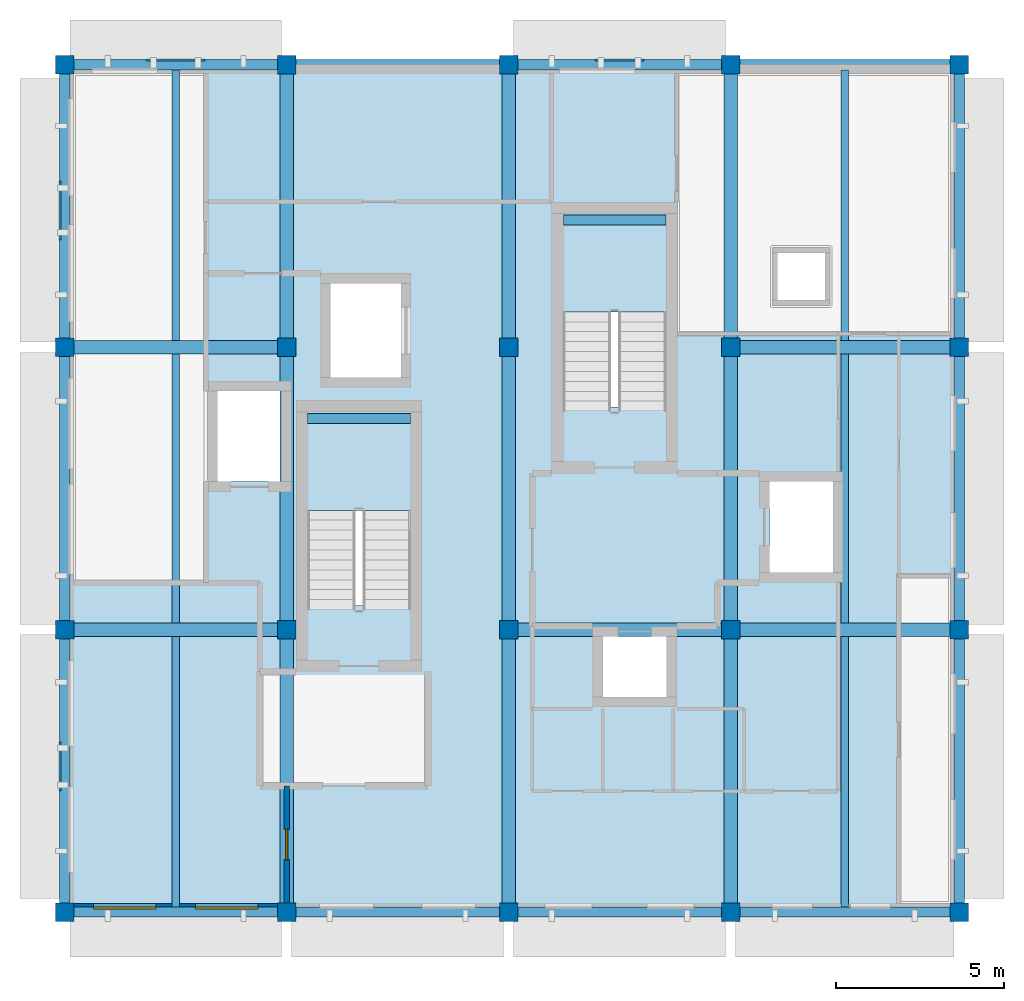
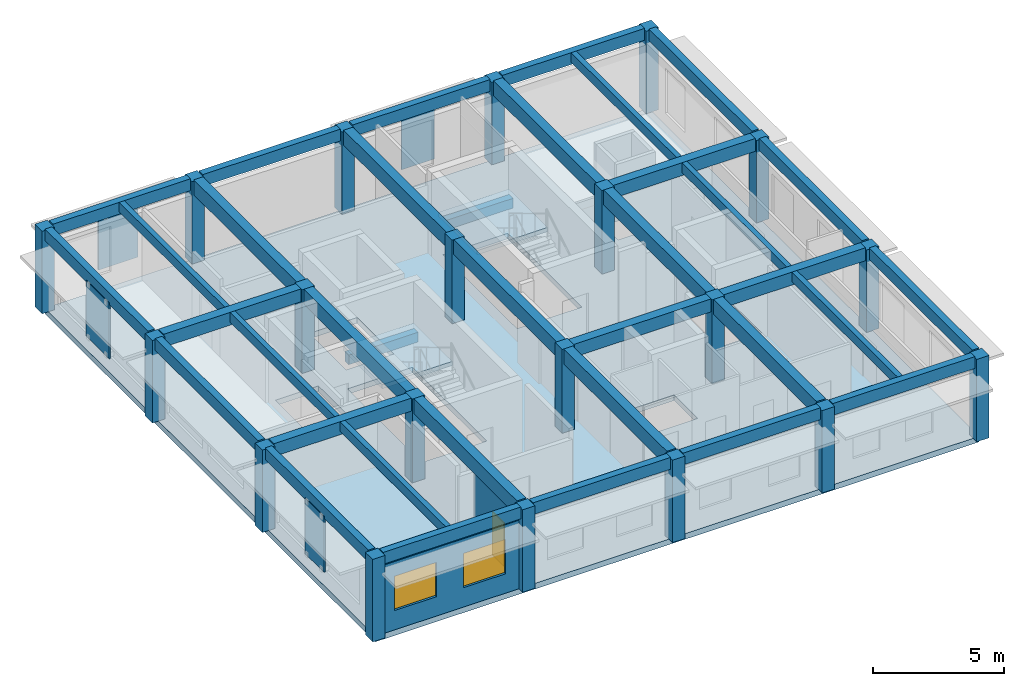
# One storey, part 1 of 7: 36 beams, 20 columns, 4 plates, 3 slabs, 2 walls, 2 windows, 1 door, 3 openings, 2 elements without a shape of their own.
"""IFC4 building model written with IfcOpenShell, lengths in metres."""

from ifc_helpers import new_model, si_unit, direction, frame, frame_2d, origin, origin_2d, place, context, subcontext, project, spatial, polyline, rectangle, outline, extrude, material, layer, layer_set, material_profile, profile_set, type_object, element, fill, aggregate, save


model = new_model("IFC4")

# Units and contexts
model_context = context("Model", 3, precision=1e-05, world=origin(), true_north=direction((0.0, 1.0)))
body_context = subcontext(model_context, "Body", "Model", "MODEL_VIEW")
ifc_project = project(units=[si_unit("LENGTHUNIT", "METRE"), si_unit("AREAUNIT", "SQUARE_METRE"), si_unit("VOLUMEUNIT", "CUBIC_METRE"), si_unit("PLANEANGLEUNIT", "RADIAN"), si_unit("MASSUNIT", "GRAM", prefix="KILO")], contexts=[model_context])

# Site, building, storey
site_placement = place(None, origin())
site = spatial("IfcSite", under=ifc_project, at=site_placement, CompositionType="ELEMENT")
building_placement = place(site_placement, origin())
building = spatial("IfcBuilding", under=site, at=building_placement, Name="Kolvaren Faculty of Natural Sciences", CompositionType="ELEMENT")
storey_placement = place(building_placement, frame((0.0, 0.0, 40.5)))
storey = spatial("IfcBuildingStorey", under=building, at=storey_placement, Name="L09", CompositionType="ELEMENT", Elevation=40.5)

# Columns
ifc_material_1 = material(Name="Concrete C35/45", Category="concrete")
ifc_material_profile_1 = material_profile(ifc_material_1, rectangle(XDim=0.550048828125, YDim=0.550048828125, at=origin_2d()), Name="RC COL 550x550")
ifc_profile_set_1 = profile_set([ifc_material_profile_1], Name="Concrete C35/45")
column_type = type_object("IfcColumnType", Name="UpperColumn_550x550", PredefinedType="COLUMN", material=ifc_profile_set_1)
for number, where, z_axis, x_axis, name in (
    (1, (145.39990234375, 59.0, 0.0), (0.0, 0.0, 1.0), (1.0, 0.0, 0.0), "L09 column UC-55 at 23/H"),
    (2, (145.39990234375, 67.39990234375, 0.0), (0.0, 0.0, 1.0), (1.0, 0.0, 0.0), "L09 column UC-55 at 23/J"),
    (3, (145.39990234375, 75.800048828125, 0.0), (0.0, 0.0, 1.0), (1.0, 0.0, 0.0), "L09 column UC-55 at 23/K"),
    (4, (145.39990234375, 84.199951171875, 0.0), (0.0, 0.0, 1.0), (1.0, 0.0, 0.0), "L09 column UC-55 at 23/L"),
    (5, (152.0, 59.0, 0.0), (0.0, 0.0, 1.0), (1.0, 0.0, 0.0), "L09 column UC-55 at 24/H"),
):
    element("IfcColumn", number, at=place(storey_placement, frame(where, z_axis=z_axis, x_axis=x_axis)), inside=storey, type_object=column_type, Name=name, PredefinedType="COLUMN", context=body_context, shape_type="SweptSolid", body=[
        extrude(rectangle(XDim=0.550048828125, YDim=0.550048828125, at=origin_2d()), origin(), (0.0, 0.0, 1.0), 3.840087890625),
    ])
for number, where, z_axis, x_axis, name in (
    (6, (152.0, 67.39990234375, 0.0), (0.0, 0.0, 1.0), (1.0, 0.0, 0.0), "L09 column UC-55 at 24/J"),
    (7, (152.0, 75.800048828125, 0.0), (0.0, 0.0, 1.0), (1.0, 0.0, 0.0), "L09 column UC-55 at 24/K"),
):
    element("IfcColumn", number, at=place(storey_placement, frame(where, z_axis=z_axis, x_axis=x_axis)), inside=storey, type_object=column_type, Name=name, PredefinedType="COLUMN", context=body_context, shape_type="SweptSolid", body=[
        extrude(rectangle(XDim=0.550048828125, YDim=0.550048828125, at=origin_2d()), origin(), (0.0, 0.0, 1.0), 3.89990234375),
    ])
for number, where, z_axis, x_axis, name in (
    (8, (152.0, 84.199951171875, 0.0), (0.0, 0.0, 1.0), (1.0, 0.0, 0.0), "L09 column UC-55 at 24/L"),
    (9, (158.60009765625, 59.0, 0.0), (0.0, 0.0, 1.0), (1.0, 0.0, 0.0), "L09 column UC-55 at 25/H"),
):
    element("IfcColumn", number, at=place(storey_placement, frame(where, z_axis=z_axis, x_axis=x_axis)), inside=storey, type_object=column_type, Name=name, PredefinedType="COLUMN", context=body_context, shape_type="SweptSolid", body=[
        extrude(rectangle(XDim=0.550048828125, YDim=0.550048828125, at=origin_2d()), origin(), (0.0, 0.0, 1.0), 3.840087890625),
    ])
for number, where, z_axis, x_axis, name in (
    (10, (158.60009765625, 67.39990234375, 0.0), (0.0, 0.0, 1.0), (1.0, 0.0, 0.0), "L09 column UC-55 at 25/J"),
    (11, (158.60009765625, 75.800048828125, 0.0), (0.0, 0.0, 1.0), (1.0, 0.0, 0.0), "L09 column UC-55 at 25/K"),
):
    element("IfcColumn", number, at=place(storey_placement, frame(where, z_axis=z_axis, x_axis=x_axis)), inside=storey, type_object=column_type, Name=name, PredefinedType="COLUMN", context=body_context, shape_type="SweptSolid", body=[
        extrude(rectangle(XDim=0.550048828125, YDim=0.550048828125, at=origin_2d()), origin(), (0.0, 0.0, 1.0), 3.89990234375),
    ])
for number, where, z_axis, x_axis, name in (
    (12, (158.60009765625, 84.199951171875, 0.0), (0.0, 0.0, 1.0), (1.0, 0.0, 0.0), "L09 column UC-55 at 25/L"),
    (13, (165.199951171875, 59.0, 0.0), (0.0, 0.0, 1.0), (1.0, 0.0, 0.0), "L09 column UC-55 at 26/H"),
):
    element("IfcColumn", number, at=place(storey_placement, frame(where, z_axis=z_axis, x_axis=x_axis)), inside=storey, type_object=column_type, Name=name, PredefinedType="COLUMN", context=body_context, shape_type="SweptSolid", body=[
        extrude(rectangle(XDim=0.550048828125, YDim=0.550048828125, at=origin_2d()), origin(), (0.0, 0.0, 1.0), 3.840087890625),
    ])
for number, where, z_axis, x_axis, name in (
    (14, (165.199951171875, 67.39990234375, 0.0), (0.0, 0.0, 1.0), (1.0, 0.0, 0.0), "L09 column UC-55 at 26/J"),
    (15, (165.199951171875, 75.800048828125, 0.0), (0.0, 0.0, 1.0), (1.0, 0.0, 0.0), "L09 column UC-55 at 26/K"),
):
    element("IfcColumn", number, at=place(storey_placement, frame(where, z_axis=z_axis, x_axis=x_axis)), inside=storey, type_object=column_type, Name=name, PredefinedType="COLUMN", context=body_context, shape_type="SweptSolid", body=[
        extrude(rectangle(XDim=0.550048828125, YDim=0.550048828125, at=origin_2d()), origin(), (0.0, 0.0, 1.0), 3.89990234375),
    ])
for number, where, z_axis, x_axis, name in (
    (16, (165.199951171875, 84.199951171875, 0.0), (0.0, 0.0, 1.0), (1.0, 0.0, 0.0), "L09 column UC-55 at 26/L"),
    (17, (172.0, 59.0, 0.0), (0.0, 0.0, 1.0), (1.0, 0.0, 0.0), "L09 column UC-55 at 27/H"),
    (18, (172.0, 67.39990234375, 0.0), (0.0, 0.0, 1.0), (1.0, 0.0, 0.0), "L09 column UC-55 at 27/J"),
    (19, (172.0, 75.800048828125, 0.0), (0.0, 0.0, 1.0), (1.0, 0.0, 0.0), "L09 column UC-55 at 27/K"),
    (20, (172.0, 84.199951171875, 0.0), (0.0, 0.0, 1.0), (1.0, 0.0, 0.0), "L09 column UC-55 at 27/L"),
):
    element("IfcColumn", number, at=place(storey_placement, frame(where, z_axis=z_axis, x_axis=x_axis)), inside=storey, type_object=column_type, Name=name, PredefinedType="COLUMN", context=body_context, shape_type="SweptSolid", body=[
        extrude(rectangle(XDim=0.550048828125, YDim=0.550048828125, at=origin_2d()), origin(), (0.0, 0.0, 1.0), 3.840087890625),
    ])

# Beams
ifc_material_2 = material(Name="Concrete C40/50", Category="concrete")
ifc_material_profile_2 = material_profile(ifc_material_2, rectangle(XDim=0.300048828125, YDim=0.449951171875, at=origin_2d()), Name="RC LNT 300x450")
ifc_profile_set_2 = profile_set([ifc_material_profile_2], Name="Concrete C40/50")
beam_type_1 = type_object("IfcBeamType", Name="CoreCouplingLintel_300x450", PredefinedType="LINTEL", material=ifc_profile_set_2)
beam_1_placement = place(storey_placement, frame((160.22509765625, 79.580078125, 1.52490234375), z_axis=(1.0, 0.0, 0.0), x_axis=(0.0, 1.0, 0.0)))
element("IfcBeam", 21, at=beam_1_placement, inside=storey, type_object=beam_type_1, Name="L09 ST-1 half-landing support lintel", PredefinedType="LINTEL", context=body_context, shape_type="SweptSolid", body=[
    extrude(rectangle(XDim=0.300048828125, YDim=0.449951171875, at=origin_2d()), origin(), (0.0, 0.0, 1.0), 3.0498046875),
])
beam_2_placement = place(storey_placement, frame((152.625, 73.679931640625, 1.52490234375), z_axis=(1.0, 0.0, 0.0), x_axis=(0.0, 1.0, 0.0)))
element("IfcBeam", 22, at=beam_2_placement, inside=storey, type_object=beam_type_1, Name="L09 ST-2 half-landing support lintel", PredefinedType="LINTEL", context=body_context, shape_type="SweptSolid", body=[
    extrude(rectangle(XDim=0.300048828125, YDim=0.449951171875, at=origin_2d()), origin(), (0.0, 0.0, 1.0), 3.050048828125),
])
ifc_material_profile_3 = material_profile(ifc_material_1, rectangle(XDim=0.39990234375, YDim=0.60009765625, at=origin_2d()), Name="RC BM 400x600")
ifc_profile_set_3 = profile_set([ifc_material_profile_3], Name="Concrete C35/45")
beam_type_2 = type_object("IfcBeamType", Name="GridBeam_400x600", PredefinedType="BEAM", material=ifc_profile_set_3)
for number, where, z_axis, x_axis, name in (
    (23, (145.675048828125, 67.39990234375, 3.60009765625), (1.0, 0.0, 0.0), (0.0, 1.0, 0.0), "L09 beam BM-60 on grid J"),
    (24, (158.875, 67.39990234375, 3.60009765625), (1.0, 0.0, 0.0), (0.0, 1.0, 0.0), "L09 beam BM-60 on grid J"),
):
    element("IfcBeam", number, at=place(storey_placement, frame(where, z_axis=z_axis, x_axis=x_axis)), inside=storey, type_object=beam_type_2, Name=name, PredefinedType="BEAM", context=body_context, shape_type="SweptSolid", body=[
        extrude(rectangle(XDim=0.39990234375, YDim=0.60009765625, at=origin_2d()), origin(), (0.0, 0.0, 1.0), 6.050048828125),
    ])
beam_3_placement = place(storey_placement, frame((165.47509765625, 67.39990234375, 3.60009765625), z_axis=(1.0, 0.0, 0.0), x_axis=(0.0, 1.0, 0.0)))
element("IfcBeam", 25, at=beam_3_placement, inside=storey, type_object=beam_type_2, Name="L09 beam BM-60 on grid J", PredefinedType="BEAM", context=body_context, shape_type="SweptSolid", body=[
    extrude(rectangle(XDim=0.39990234375, YDim=0.60009765625, at=origin_2d()), origin(), (0.0, 0.0, 1.0), 6.25),
])
beam_4_placement = place(storey_placement, frame((145.675048828125, 75.800048828125, 3.60009765625), z_axis=(1.0, 0.0, 0.0), x_axis=(0.0, 1.0, 0.0)))
element("IfcBeam", 26, at=beam_4_placement, inside=storey, type_object=beam_type_2, Name="L09 beam BM-60 on grid K", PredefinedType="BEAM", context=body_context, shape_type="SweptSolid", body=[
    extrude(rectangle(XDim=0.39990234375, YDim=0.60009765625, at=origin_2d()), origin(), (0.0, 0.0, 1.0), 6.050048828125),
])
beam_5_placement = place(storey_placement, frame((165.47509765625, 75.800048828125, 3.60009765625), z_axis=(1.0, 0.0, 0.0), x_axis=(0.0, 1.0, 0.0)))
element("IfcBeam", 27, at=beam_5_placement, inside=storey, type_object=beam_type_2, Name="L09 beam BM-60 on grid K", PredefinedType="BEAM", context=body_context, shape_type="SweptSolid", body=[
    extrude(rectangle(XDim=0.39990234375, YDim=0.60009765625, at=origin_2d()), origin(), (0.0, 0.0, 1.0), 6.25),
])
ifc_material_profile_4 = material_profile(ifc_material_1, rectangle(XDim=0.219970703125, YDim=0.449951171875, at=origin_2d()), Name="RC JST 220x450")
ifc_profile_set_4 = profile_set([ifc_material_profile_4], Name="Concrete C35/45")
beam_type_3 = type_object("IfcBeamType", Name="OfficeRibJoist_220x450", PredefinedType="JOIST", material=ifc_profile_set_4)
beam_6_placement = place(storey_placement, frame((148.699951171875, 59.14990234375, 3.675048828125), z_axis=(0.0, 1.0, 0.0), x_axis=(-1.0, 0.0, 0.0)))
element("IfcBeam", 28, at=beam_6_placement, inside=storey, type_object=beam_type_3, Name="L09 ribbed laboratory slab joist JS-45", PredefinedType="JOIST", context=body_context, shape_type="SweptSolid", body=[
    extrude(rectangle(XDim=0.219970703125, YDim=0.449951171875, at=origin_2d()), origin(), (0.0, 0.0, 1.0), 8.050048828125),
])
beam_7_placement = place(storey_placement, frame((148.699951171875, 67.60009765625, 3.675048828125), z_axis=(0.0, 1.0, 0.0), x_axis=(-1.0, 0.0, 0.0)))
element("IfcBeam", 29, at=beam_7_placement, inside=storey, type_object=beam_type_3, Name="L09 ribbed laboratory slab joist JS-45", PredefinedType="JOIST", context=body_context, shape_type="SweptSolid", body=[
    extrude(rectangle(XDim=0.219970703125, YDim=0.449951171875, at=origin_2d()), origin(), (0.0, 0.0, 1.0), 8.0),
])
for number, where, z_axis, x_axis, name in (
    (30, (148.699951171875, 76.0, 3.675048828125), (0.0, 1.0, 0.0), (-1.0, 0.0, 0.0), "L09 ribbed laboratory slab joist JS-45"),
    (31, (168.60009765625, 59.14990234375, 3.675048828125), (0.0, 1.0, 0.0), (-1.0, 0.0, 0.0), "L09 ribbed laboratory slab joist JS-45"),
):
    element("IfcBeam", number, at=place(storey_placement, frame(where, z_axis=z_axis, x_axis=x_axis)), inside=storey, type_object=beam_type_3, Name=name, PredefinedType="JOIST", context=body_context, shape_type="SweptSolid", body=[
        extrude(rectangle(XDim=0.219970703125, YDim=0.449951171875, at=origin_2d()), origin(), (0.0, 0.0, 1.0), 8.050048828125),
    ])
beam_8_placement = place(storey_placement, frame((168.60009765625, 67.60009765625, 3.675048828125), z_axis=(0.0, 1.0, 0.0), x_axis=(-1.0, 0.0, 0.0)))
element("IfcBeam", 32, at=beam_8_placement, inside=storey, type_object=beam_type_3, Name="L09 ribbed laboratory slab joist JS-45", PredefinedType="JOIST", context=body_context, shape_type="SweptSolid", body=[
    extrude(rectangle(XDim=0.219970703125, YDim=0.449951171875, at=origin_2d()), origin(), (0.0, 0.0, 1.0), 8.0),
])
beam_9_placement = place(storey_placement, frame((168.60009765625, 76.0, 3.675048828125), z_axis=(0.0, 1.0, 0.0), x_axis=(-1.0, 0.0, 0.0)))
element("IfcBeam", 33, at=beam_9_placement, inside=storey, type_object=beam_type_3, Name="L09 ribbed laboratory slab joist JS-45", PredefinedType="JOIST", context=body_context, shape_type="SweptSolid", body=[
    extrude(rectangle(XDim=0.219970703125, YDim=0.449951171875, at=origin_2d()), origin(), (0.0, 0.0, 1.0), 8.050048828125),
])
ifc_material_profile_5 = material_profile(ifc_material_1, rectangle(XDim=0.300048828125, YDim=0.550048828125, at=origin_2d()), Name="RC SP 300x550")
ifc_profile_set_5 = profile_set([ifc_material_profile_5], Name="Concrete C35/45")
beam_type_4 = type_object("IfcBeamType", Name="PerimeterSpandrel_300x550", PredefinedType="SPANDREL", material=ifc_profile_set_5)
for number, where, z_axis, x_axis, name in (
    (34, (145.675048828125, 59.0, 3.625), (1.0, 0.0, 0.0), (0.0, 1.0, 0.0), "L09 spandrel SP-55 on grid H"),
    (35, (152.27490234375, 59.0, 3.625), (1.0, 0.0, 0.0), (0.0, 1.0, 0.0), "L09 spandrel SP-55 on grid H"),
    (36, (158.875, 59.0, 3.625), (1.0, 0.0, 0.0), (0.0, 1.0, 0.0), "L09 spandrel SP-55 on grid H"),
):
    element("IfcBeam", number, at=place(storey_placement, frame(where, z_axis=z_axis, x_axis=x_axis)), inside=storey, type_object=beam_type_4, Name=name, PredefinedType="SPANDREL", context=body_context, shape_type="SweptSolid", body=[
        extrude(rectangle(XDim=0.300048828125, YDim=0.550048828125, at=origin_2d()), origin(), (0.0, 0.0, 1.0), 6.050048828125),
    ])
beam_10_placement = place(storey_placement, frame((165.47509765625, 59.0, 3.625), z_axis=(1.0, 0.0, 0.0), x_axis=(0.0, 1.0, 0.0)))
element("IfcBeam", 37, at=beam_10_placement, inside=storey, type_object=beam_type_4, Name="L09 spandrel SP-55 on grid H", PredefinedType="SPANDREL", context=body_context, shape_type="SweptSolid", body=[
    extrude(rectangle(XDim=0.300048828125, YDim=0.550048828125, at=origin_2d()), origin(), (0.0, 0.0, 1.0), 6.25),
])
for number, where, z_axis, x_axis, name in (
    (38, (145.675048828125, 84.199951171875, 3.625), (1.0, 0.0, 0.0), (0.0, 1.0, 0.0), "L09 spandrel SP-55 on grid L"),
    (39, (152.27490234375, 84.199951171875, 3.625), (1.0, 0.0, 0.0), (0.0, 1.0, 0.0), "L09 spandrel SP-55 on grid L"),
    (40, (158.875, 84.199951171875, 3.625), (1.0, 0.0, 0.0), (0.0, 1.0, 0.0), "L09 spandrel SP-55 on grid L"),
):
    element("IfcBeam", number, at=place(storey_placement, frame(where, z_axis=z_axis, x_axis=x_axis)), inside=storey, type_object=beam_type_4, Name=name, PredefinedType="SPANDREL", context=body_context, shape_type="SweptSolid", body=[
        extrude(rectangle(XDim=0.300048828125, YDim=0.550048828125, at=origin_2d()), origin(), (0.0, 0.0, 1.0), 6.050048828125),
    ])
beam_11_placement = place(storey_placement, frame((165.47509765625, 84.199951171875, 3.625), z_axis=(1.0, 0.0, 0.0), x_axis=(0.0, 1.0, 0.0)))
element("IfcBeam", 41, at=beam_11_placement, inside=storey, type_object=beam_type_4, Name="L09 spandrel SP-55 on grid L", PredefinedType="SPANDREL", context=body_context, shape_type="SweptSolid", body=[
    extrude(rectangle(XDim=0.300048828125, YDim=0.550048828125, at=origin_2d()), origin(), (0.0, 0.0, 1.0), 6.25),
])
beam_12_placement = place(storey_placement, frame((145.39990234375, 59.27490234375, 3.625), z_axis=(0.0, 1.0, 0.0), x_axis=(-1.0, 0.0, 0.0)))
element("IfcBeam", 42, at=beam_12_placement, inside=storey, type_object=beam_type_4, Name="L09 girder SP-55 on grid 23", PredefinedType="SPANDREL", context=body_context, shape_type="SweptSolid", body=[
    extrude(rectangle(XDim=0.300048828125, YDim=0.550048828125, at=origin_2d()), origin(), (0.0, 0.0, 1.0), 7.85009765625),
])
beam_13_placement = place(storey_placement, frame((145.39990234375, 67.675048828125, 3.625), z_axis=(0.0, 1.0, 0.0), x_axis=(-1.0, 0.0, 0.0)))
element("IfcBeam", 43, at=beam_13_placement, inside=storey, type_object=beam_type_4, Name="L09 girder SP-55 on grid 23", PredefinedType="SPANDREL", context=body_context, shape_type="SweptSolid", body=[
    extrude(rectangle(XDim=0.300048828125, YDim=0.550048828125, at=origin_2d()), origin(), (0.0, 0.0, 1.0), 7.849853515625),
])
for number, where, z_axis, x_axis, name in (
    (44, (145.39990234375, 76.074951171875, 3.625), (0.0, 1.0, 0.0), (-1.0, 0.0, 0.0), "L09 girder SP-55 on grid 23"),
    (45, (172.0, 59.27490234375, 3.625), (0.0, 1.0, 0.0), (-1.0, 0.0, 0.0), "L09 girder SP-55 on grid 27"),
):
    element("IfcBeam", number, at=place(storey_placement, frame(where, z_axis=z_axis, x_axis=x_axis)), inside=storey, type_object=beam_type_4, Name=name, PredefinedType="SPANDREL", context=body_context, shape_type="SweptSolid", body=[
        extrude(rectangle(XDim=0.300048828125, YDim=0.550048828125, at=origin_2d()), origin(), (0.0, 0.0, 1.0), 7.85009765625),
    ])
beam_14_placement = place(storey_placement, frame((172.0, 67.675048828125, 3.625), z_axis=(0.0, 1.0, 0.0), x_axis=(-1.0, 0.0, 0.0)))
element("IfcBeam", 46, at=beam_14_placement, inside=storey, type_object=beam_type_4, Name="L09 girder SP-55 on grid 27", PredefinedType="SPANDREL", context=body_context, shape_type="SweptSolid", body=[
    extrude(rectangle(XDim=0.300048828125, YDim=0.550048828125, at=origin_2d()), origin(), (0.0, 0.0, 1.0), 7.849853515625),
])
beam_15_placement = place(storey_placement, frame((172.0, 76.074951171875, 3.625), z_axis=(0.0, 1.0, 0.0), x_axis=(-1.0, 0.0, 0.0)))
element("IfcBeam", 47, at=beam_15_placement, inside=storey, type_object=beam_type_4, Name="L09 girder SP-55 on grid 27", PredefinedType="SPANDREL", context=body_context, shape_type="SweptSolid", body=[
    extrude(rectangle(XDim=0.300048828125, YDim=0.550048828125, at=origin_2d()), origin(), (0.0, 0.0, 1.0), 7.85009765625),
])
ifc_material_profile_6 = material_profile(ifc_material_1, rectangle(XDim=0.39990234375, YDim=0.699951171875, at=origin_2d()), Name="RC BM 400x700")
ifc_profile_set_6 = profile_set([ifc_material_profile_6], Name="Concrete C35/45")
beam_type_5 = type_object("IfcBeamType", Name="UpperGirder_400x700", PredefinedType="BEAM", material=ifc_profile_set_6)
beam_16_placement = place(storey_placement, frame((152.0, 59.27490234375, 3.550048828125), z_axis=(0.0, 1.0, 0.0), x_axis=(-1.0, 0.0, 0.0)))
element("IfcBeam", 48, at=beam_16_placement, inside=storey, type_object=beam_type_5, Name="L09 girder BG-70 on grid 24", PredefinedType="BEAM", context=body_context, shape_type="SweptSolid", body=[
    extrude(rectangle(XDim=0.39990234375, YDim=0.699951171875, at=origin_2d()), origin(), (0.0, 0.0, 1.0), 7.85009765625),
])
beam_17_placement = place(storey_placement, frame((152.0, 67.675048828125, 3.550048828125), z_axis=(0.0, 1.0, 0.0), x_axis=(-1.0, 0.0, 0.0)))
element("IfcBeam", 49, at=beam_17_placement, inside=storey, type_object=beam_type_5, Name="L09 girder BG-70 on grid 24", PredefinedType="BEAM", context=body_context, shape_type="SweptSolid", body=[
    extrude(rectangle(XDim=0.39990234375, YDim=0.699951171875, at=origin_2d()), origin(), (0.0, 0.0, 1.0), 7.849853515625),
])
for number, where, z_axis, x_axis, name in (
    (50, (152.0, 76.074951171875, 3.550048828125), (0.0, 1.0, 0.0), (-1.0, 0.0, 0.0), "L09 girder BG-70 on grid 24"),
    (51, (158.60009765625, 59.27490234375, 3.550048828125), (0.0, 1.0, 0.0), (-1.0, 0.0, 0.0), "L09 girder BG-70 on grid 25"),
):
    element("IfcBeam", number, at=place(storey_placement, frame(where, z_axis=z_axis, x_axis=x_axis)), inside=storey, type_object=beam_type_5, Name=name, PredefinedType="BEAM", context=body_context, shape_type="SweptSolid", body=[
        extrude(rectangle(XDim=0.39990234375, YDim=0.699951171875, at=origin_2d()), origin(), (0.0, 0.0, 1.0), 7.85009765625),
    ])
beam_18_placement = place(storey_placement, frame((158.60009765625, 67.675048828125, 3.550048828125), z_axis=(0.0, 1.0, 0.0), x_axis=(-1.0, 0.0, 0.0)))
element("IfcBeam", 52, at=beam_18_placement, inside=storey, type_object=beam_type_5, Name="L09 girder BG-70 on grid 25", PredefinedType="BEAM", context=body_context, shape_type="SweptSolid", body=[
    extrude(rectangle(XDim=0.39990234375, YDim=0.699951171875, at=origin_2d()), origin(), (0.0, 0.0, 1.0), 7.849853515625),
])
for number, where, z_axis, x_axis, name in (
    (53, (158.60009765625, 76.074951171875, 3.550048828125), (0.0, 1.0, 0.0), (-1.0, 0.0, 0.0), "L09 girder BG-70 on grid 25"),
    (54, (165.199951171875, 59.27490234375, 3.550048828125), (0.0, 1.0, 0.0), (-1.0, 0.0, 0.0), "L09 girder BG-70 on grid 26"),
):
    element("IfcBeam", number, at=place(storey_placement, frame(where, z_axis=z_axis, x_axis=x_axis)), inside=storey, type_object=beam_type_5, Name=name, PredefinedType="BEAM", context=body_context, shape_type="SweptSolid", body=[
        extrude(rectangle(XDim=0.39990234375, YDim=0.699951171875, at=origin_2d()), origin(), (0.0, 0.0, 1.0), 7.85009765625),
    ])
beam_19_placement = place(storey_placement, frame((165.199951171875, 67.675048828125, 3.550048828125), z_axis=(0.0, 1.0, 0.0), x_axis=(-1.0, 0.0, 0.0)))
element("IfcBeam", 55, at=beam_19_placement, inside=storey, type_object=beam_type_5, Name="L09 girder BG-70 on grid 26", PredefinedType="BEAM", context=body_context, shape_type="SweptSolid", body=[
    extrude(rectangle(XDim=0.39990234375, YDim=0.699951171875, at=origin_2d()), origin(), (0.0, 0.0, 1.0), 7.849853515625),
])
beam_20_placement = place(storey_placement, frame((165.199951171875, 76.074951171875, 3.550048828125), z_axis=(0.0, 1.0, 0.0), x_axis=(-1.0, 0.0, 0.0)))
element("IfcBeam", 56, at=beam_20_placement, inside=storey, type_object=beam_type_5, Name="L09 girder BG-70 on grid 26", PredefinedType="BEAM", context=body_context, shape_type="SweptSolid", body=[
    extrude(rectangle(XDim=0.39990234375, YDim=0.699951171875, at=origin_2d()), origin(), (0.0, 0.0, 1.0), 7.85009765625),
])

# Plates
ifc_material_3 = material(Name="Extruded architectural terracotta screen", Category="masonry")
ifc_layer_1 = layer(ifc_material_3, 0.06494140625)
ifc_layer_set_1 = layer_set([ifc_layer_1], Name="Extruded architectural terracotta screen")
plate_type_1 = type_object("IfcPlateType", Name="EnvelopePlate_JL01", PredefinedType="USERDEFINED", material=ifc_layer_set_1)
plate_1_placement = place(storey_placement, frame((145.260009765625, 63.330078125, 0.849853515625), z_axis=(0.0, 0.0, 1.0), x_axis=(0.0, 1.0, 0.0)))
element("IfcPlate", 57, at=plate_1_placement, inside=storey, type_object=plate_type_1, Name="L09 perforated terracotta jali sun screen JL-01", ObjectType="SCREEN", PredefinedType="USERDEFINED", context=body_context, shape_type="SweptSolid", body=[
    extrude(rectangle(XDim=1.449951171875, YDim=0.06494140625, at=origin_2d()), origin(), (0.0, 0.0, 1.0), 2.60009765625),
])
ifc_layer_2 = layer(ifc_material_3, 0.06494140625)
ifc_layer_set_2 = layer_set([ifc_layer_2], Name="Extruded architectural terracotta screen")
plate_type_2 = type_object("IfcPlateType", Name="EnvelopePlate_JL02", PredefinedType="USERDEFINED", material=ifc_layer_set_2)
for number, where, z_axis, x_axis, name in (
    (58, (148.699951171875, 84.340087890625, 0.849853515625), (0.0, 0.0, 1.0), (1.0, 0.0, 0.0), "L09 perforated terracotta jali sun screen JL-02"),
    (59, (145.260009765625, 79.8701171875, 0.849853515625), (0.0, 0.0, 1.0), (0.0, 1.0, 0.0), "L09 perforated terracotta jali sun screen JL-02"),
):
    element("IfcPlate", number, at=place(storey_placement, frame(where, z_axis=z_axis, x_axis=x_axis)), inside=storey, type_object=plate_type_2, Name=name, ObjectType="SCREEN", PredefinedType="USERDEFINED", context=body_context, shape_type="SweptSolid", body=[
        extrude(rectangle(XDim=1.75, YDim=0.06494140625, at=origin_2d()), origin(), (0.0, 0.0, 1.0), 2.60009765625),
    ])
ifc_layer_3 = layer(ifc_material_3, 0.06494140625)
ifc_layer_set_3 = layer_set([ifc_layer_3], Name="Extruded architectural terracotta screen")
plate_type_3 = type_object("IfcPlateType", Name="EnvelopePlate_JL03", PredefinedType="USERDEFINED", material=ifc_layer_set_3)
plate_2_placement = place(storey_placement, frame((161.89990234375, 84.340087890625, 0.849853515625), z_axis=(0.0, 0.0, 1.0), x_axis=(1.0, 0.0, 0.0)))
element("IfcPlate", 60, at=plate_2_placement, inside=storey, type_object=plate_type_3, Name="L09 perforated terracotta jali sun screen JL-03", ObjectType="SCREEN", PredefinedType="USERDEFINED", context=body_context, shape_type="SweptSolid", body=[
    extrude(rectangle(XDim=1.449951171875, YDim=0.06494140625, at=origin_2d()), origin(), (0.0, 0.0, 1.0), 2.68505859375),
])

# Stair, slab
stair_type = type_object("IfcStairType", Name="DoglegStair_H3900", PredefinedType="HALF_TURN_STAIR", material=ifc_material_1)
stair_1_placement = place(storey_placement, origin())
stair_1 = element("IfcStair", 61, at=stair_1_placement, inside=storey, type_object=stair_type, Name="L09 Protected exit stair ST-1", PredefinedType="HALF_TURN_STAIR")
ifc_layer_4 = layer(ifc_material_1, 0.199951171875)
ifc_layer_set_4 = layer_set([ifc_layer_4], Name="Concrete C35/45")
slab_type_1 = type_object("IfcSlabType", Name="StairLandingSlab_200", PredefinedType="LANDING", material=ifc_layer_set_4)
slab_1_placement = place(storey_placement, frame((0.0, 0.0, 1.75)))
slab_1 = element("IfcSlab", 62, at=slab_1_placement, type_object=slab_type_1, Name="ST-1 landing 1", PredefinedType="LANDING", context=body_context, shape_type="SweptSolid", body=[
    extrude(outline(polyline([(163.300048828125, 76.85009765625), (163.300048828125, 79.800048828125), (160.199951171875, 79.800048828125), (160.199951171875, 76.85009765625), (163.300048828125, 76.85009765625)])), origin(), (0.0, 0.0, 1.0), 0.199951171875),
])
aggregate(stair_1, [slab_1])

stair_2_placement = place(storey_placement, origin())
stair_2 = element("IfcStair", 63, at=stair_2_placement, inside=storey, type_object=stair_type, Name="L09 Protected exit stair ST-2", PredefinedType="HALF_TURN_STAIR")
slab_2_placement = place(storey_placement, frame((0.0, 0.0, 1.75)))
slab_2 = element("IfcSlab", 64, at=slab_2_placement, type_object=slab_type_1, Name="ST-2 landing 1", PredefinedType="LANDING", context=body_context, shape_type="SweptSolid", body=[
    extrude(outline(polyline([(155.699951171875, 70.949951171875), (155.699951171875, 73.89990234375), (152.60009765625, 73.89990234375), (152.60009765625, 70.949951171875), (155.699951171875, 70.949951171875)])), origin(), (0.0, 0.0, 1.0), 0.199951171875),
])
aggregate(stair_2, [slab_2])

# Slab
ifc_layer_5 = layer(ifc_material_1, 0.260009765625)
ifc_layer_set_5 = layer_set([ifc_layer_5], Name="Concrete C35/45")
slab_type_2 = type_object("IfcSlabType", Name="TowerOfficeSlab_260", PredefinedType="FLOOR", material=ifc_layer_set_5)
slab_3_placement = place(storey_placement, frame((0.0, 0.0, -0.260009765625)))
element("IfcSlab", 65, at=slab_3_placement, inside=storey, type_object=slab_type_2, Name="L09 V6 structural slab 1", PredefinedType="FLOOR", context=body_context, shape_type="SweptSolid", body=[
    extrude(outline(polyline([(145.39990234375, 59.0), (145.39990234375, 84.199951171875), (172.0, 84.199951171875), (172.0, 59.0), (145.39990234375, 59.0)]), holes=[polyline([(166.35009765625, 71.800048828125), (166.35009765625, 69.10009765625), (168.25, 69.10009765625), (168.25, 71.800048828125), (166.35009765625, 71.800048828125)]), polyline([(166.60009765625, 78.60009765625), (166.60009765625, 77.199951171875), (168.0, 77.199951171875), (168.0, 78.60009765625), (166.60009765625, 78.60009765625)]), polyline([(161.39990234375, 65.39990234375), (163.300048828125, 65.39990234375), (163.300048828125, 67.199951171875), (161.39990234375, 67.199951171875), (161.39990234375, 65.39990234375)]), polyline([(160.320068359375, 79.679931640625), (160.320068359375, 74.02001953125), (163.179931640625, 74.02001953125), (163.179931640625, 79.679931640625), (160.320068359375, 79.679931640625)]), polyline([(152.719970703125, 73.780029296875), (152.719970703125, 68.1201171875), (155.580078125, 68.1201171875), (155.580078125, 73.780029296875), (152.719970703125, 73.780029296875)]), polyline([(153.300048828125, 77.699951171875), (153.300048828125, 74.89990234375), (155.39990234375, 74.89990234375), (155.39990234375, 77.699951171875), (153.300048828125, 77.699951171875)]), polyline([(149.949951171875, 74.5), (149.949951171875, 71.800048828125), (151.85009765625, 71.800048828125), (151.85009765625, 74.5), (149.949951171875, 74.5)])]), origin(), (0.0, 0.0, 1.0), 0.260009765625),
])

# Wall, opening, door
ifc_material_4 = material(Name="Acoustic mineral-wool insulated gypsum partition")
ifc_layer_6 = layer(ifc_material_4, 0.159912109375)
ifc_layer_set_6 = layer_set([ifc_layer_6], Name="Acoustic mineral-wool insulated gypsum partition")
wall_type_1 = type_object("IfcWallType", Name="ClassroomPartitionWall_160", PredefinedType="PARTITIONING", material=ifc_layer_set_6)
wall_1_placement = place(storey_placement, frame((152.0, 62.75, 0.0), z_axis=(0.0, 0.0, 1.0), x_axis=(0.0, -1.0, 0.0)))
wall_1 = element("IfcWall", 66, at=wall_1_placement, inside=storey, type_object=wall_type_1, Name="L09 interior partition PW-160", PredefinedType="PARTITIONING", context=body_context, shape_type="SweptSolid", body=[
    extrude(rectangle(XDim=3.47509765625, YDim=0.159912109375, at=frame_2d((1.737548828125, 0.0))), origin(), (0.0, 0.0, 1.0), 3.18505859375),
])
opening_1_placement = place(wall_1_placement, frame((1.28759765625, 0.0, 0.0)))
opening_1 = element("IfcOpeningElement", 67, at=opening_1_placement, cuts=wall_1, Name="Opening ID-01", PredefinedType="OPENING", context=body_context, shape_type="SweptSolid", body=[
    extrude(rectangle(XDim=0.89990234375, YDim=2.02001953125, at=frame_2d((0.449951171875, 1.010009765625))), frame((0.0, 0.08984375, 0.0), z_axis=(0.0, -1.0, 0.0), x_axis=(1.0, 0.0, 0.0)), (0.0, 0.0, 1.0), 0.179931640625),
])
ifc_material_5 = material(Name="Solid-core hardwood veneer door leaf in steel frame", Category="steel")
door_type = type_object("IfcDoorType", Name="InteriorRoomDoor_900x2020", OperationType="NOTDEFINED", PredefinedType="DOOR", material=ifc_material_5)
door_placement = place(opening_1_placement, origin())
door = element("IfcDoor", 68, at=door_placement, inside=storey, type_object=door_type, Name="D-L09-0385", OperationType="SINGLE_SWING_RIGHT", OverallHeight=2.02001953125, OverallWidth=0.89990234375, PredefinedType="DOOR", context=body_context, shape_type="SweptSolid", body=[
    extrude(rectangle(XDim=0.89990234375, YDim=2.02001953125, at=frame_2d((0.449951171875, 1.010009765625))), frame((0.0, 0.02490234375, 0.0), z_axis=(0.0, -1.0, 0.0), x_axis=(1.0, 0.0, 0.0)), (0.0, 0.0, 1.0), 0.050048828125),
])
fill(opening_1, door)

# Wall, openings, windows
ifc_material_6 = material(Name="Precast concrete C35/45", Category="concrete")
ifc_layer_7 = layer(ifc_material_6, 0.260009765625)
ifc_layer_set_7 = layer_set([ifc_layer_7], Name="Precast concrete C35/45")
wall_type_2 = type_object("IfcWallType", Name="ExteriorPrecastWall_260", PredefinedType="STANDARD", material=ifc_layer_set_7)
wall_2_placement = place(storey_placement, frame((152.0, 59.1298828125, 0.0), z_axis=(0.0, 0.0, 1.0), x_axis=(-1.0, 0.0, 0.0)))
wall_2 = element("IfcWall", 69, at=wall_2_placement, inside=storey, type_object=wall_type_2, Name="L09 exterior masonry wall EW-260 (753)", PredefinedType="STANDARD", context=body_context, shape_type="SweptSolid", body=[
    extrude(rectangle(XDim=6.60009765625, YDim=0.260009765625, at=frame_2d((3.300048828125, 0.0))), origin(), (0.0, 0.0, 1.0), 3.18505859375),
])
opening_2_placement = place(wall_2_placement, frame((0.85693359375, 0.0, 0.89990234375)))
opening_2 = element("IfcOpeningElement", 70, at=opening_2_placement, cuts=wall_2, Name="Opening WIN-16", PredefinedType="OPENING", context=body_context, shape_type="SweptSolid", body=[
    extrude(rectangle(XDim=1.85009765625, YDim=1.60009765625, at=frame_2d((0.925048828125, 0.800048828125))), frame((0.0, 0.139892578125, 0.0), z_axis=(0.0, -1.0, 0.0), x_axis=(1.0, 0.0, 0.0)), (0.0, 0.0, 1.0), 0.280029296875),
])
opening_3_placement = place(wall_2_placement, frame((3.89306640625, 0.0, 0.89990234375)))
opening_3 = element("IfcOpeningElement", 71, at=opening_3_placement, cuts=wall_2, Name="Opening WIN-16", PredefinedType="OPENING", context=body_context, shape_type="SweptSolid", body=[
    extrude(rectangle(XDim=1.85009765625, YDim=1.60009765625, at=frame_2d((0.925048828125, 0.800048828125))), frame((0.0, 0.139892578125, 0.0), z_axis=(0.0, -1.0, 0.0), x_axis=(1.0, 0.0, 0.0)), (0.0, 0.0, 1.0), 0.280029296875),
])
ifc_material_7 = material(Name="Double low-E solar control insulated glazing", Category="glass")
window_type = type_object("IfcWindowType", Name="AluWindow_WIN16_1850x1600", PartitioningType="SINGLE_PANEL", PredefinedType="WINDOW", material=ifc_material_7)
window_1_placement = place(opening_2_placement, origin())
window_1 = element("IfcWindow", 72, at=window_1_placement, inside=storey, type_object=window_type, Name="WIN-L09-0625", OverallHeight=1.60009765625, OverallWidth=1.85009765625, PartitioningType="SINGLE_PANEL", PredefinedType="WINDOW", context=body_context, shape_type="SweptSolid", body=[
    extrude(rectangle(XDim=1.85009765625, YDim=1.60009765625, at=frame_2d((0.925048828125, 0.800048828125))), frame((0.0, 0.030029296875, 0.0), z_axis=(0.0, -1.0, 0.0), x_axis=(1.0, 0.0, 0.0)), (0.0, 0.0, 1.0), 0.06005859375),
])
fill(opening_2, window_1)
window_2_placement = place(opening_3_placement, origin())
window_2 = element("IfcWindow", 73, at=window_2_placement, inside=storey, type_object=window_type, Name="WIN-L09-0626", OverallHeight=1.60009765625, OverallWidth=1.85009765625, PartitioningType="SINGLE_PANEL", PredefinedType="WINDOW", context=body_context, shape_type="SweptSolid", body=[
    extrude(rectangle(XDim=1.85009765625, YDim=1.60009765625, at=frame_2d((0.925048828125, 0.800048828125))), frame((0.0, 0.030029296875, 0.0), z_axis=(0.0, -1.0, 0.0), x_axis=(1.0, 0.0, 0.0)), (0.0, 0.0, 1.0), 0.06005859375),
])
fill(opening_3, window_2)

save(model, "model.ifc")
